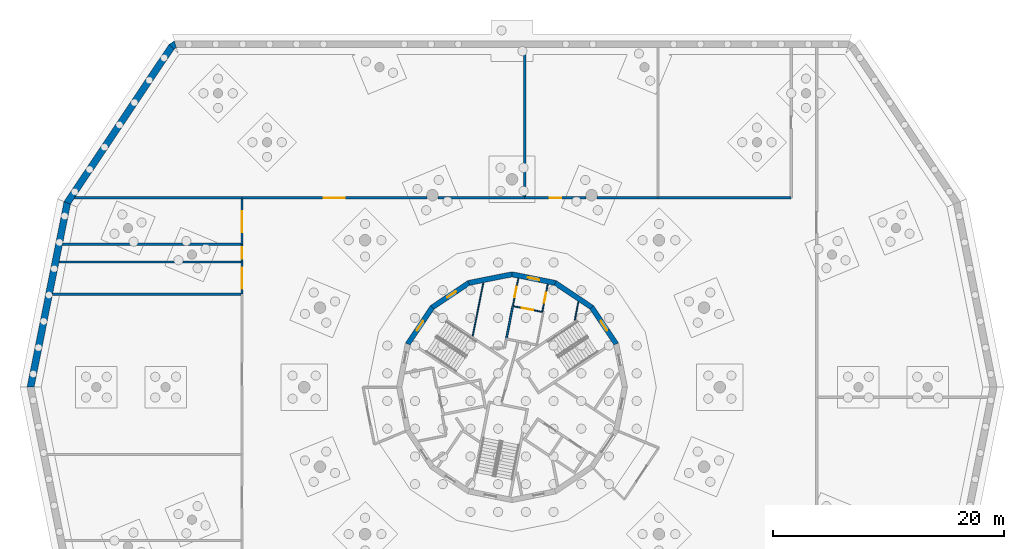
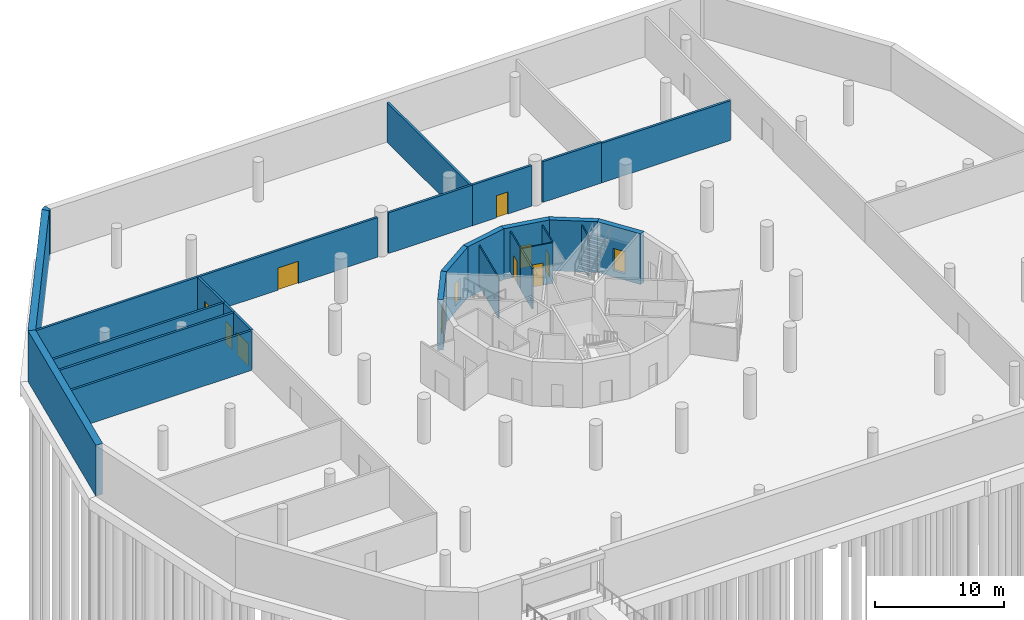
# One storey, part 6 of 8: 28 walls, 12 doors, 12 openings.
"""IFC4 building model written with IfcOpenShell, lengths in metres."""

from ifc_helpers import new_model, si_unit, direction, frame, frame_2d, origin, place, context, subcontext, project, spatial, polyline, rectangle, outline, extrude, material, layer, layer_set, type_object, element, fill, save


model = new_model("IFC4")

# Units and contexts
model_context = context("Model", 3, precision=1e-05, world=origin(), true_north=direction((0.0, 1.0)))
body_context = subcontext(model_context, "Body", "Model", "MODEL_VIEW")
ifc_project = project(units=[si_unit("LENGTHUNIT", "METRE"), si_unit("AREAUNIT", "SQUARE_METRE"), si_unit("VOLUMEUNIT", "CUBIC_METRE"), si_unit("PLANEANGLEUNIT", "RADIAN"), si_unit("MASSUNIT", "GRAM", prefix="KILO")], contexts=[model_context])

# Site, building, storey
site_placement = place(None, origin())
site = spatial("IfcSite", under=ifc_project, at=site_placement, CompositionType="ELEMENT")
building_placement = place(site_placement, origin())
building = spatial("IfcBuilding", under=site, at=building_placement, Name="Ceibo Conservatory and Research Tower", CompositionType="ELEMENT")
storey_placement = place(building_placement, frame((0.0, 0.0, -4.199951171875)))
storey = spatial("IfcBuildingStorey", under=building, at=storey_placement, Name="B1", CompositionType="ELEMENT", Elevation=-4.199951171875)

# Walls
ifc_material_1 = material(Name="Masonry blockwork", Category="masonry")
ifc_layer_1 = layer(ifc_material_1, 0.199951171875)
ifc_layer_set_1 = layer_set([ifc_layer_1], Name="Masonry blockwork")
wall_type_1 = type_object("IfcWallType", Name="Compartment wall 200 EI 120", PredefinedType="SOLIDWALL", material=ifc_layer_set_1)
wall_1_placement = place(storey_placement, frame((24.516845703125, 132.3701171875, 0.0), z_axis=(0.0, 0.0, 1.0), x_axis=(-1.0, 0.0, 0.0)))
element("IfcWall", 1, at=wall_1_placement, inside=storey, type_object=wall_type_1, Name="Partition B1.001", PredefinedType="SOLIDWALL", context=body_context, shape_type="SweptSolid", body=[
    extrude(rectangle(XDim=15.464599609375, YDim=0.199951171875, at=frame_2d((7.732421875, 0.0))), origin(), (0.0, 0.0, 1.0), 3.75),
])
wall_2_placement = place(storey_placement, frame((10.1171875, 136.39990234375, 0.0), z_axis=(0.0, 0.0, 1.0), x_axis=(1.0, 0.0, 0.0)))
element("IfcWall", 2, at=wall_2_placement, inside=storey, type_object=wall_type_1, Name="Partition B1.002", PredefinedType="SOLIDWALL", context=body_context, shape_type="SweptSolid", body=[
    extrude(rectangle(XDim=14.49462890625, YDim=0.199951171875, at=frame_2d((7.247314453125, 0.0))), origin(), (0.0, 0.0, 1.0), 3.75),
])

# Wall, opening, door
wall_3_placement = place(storey_placement, frame((24.61181640625, 136.304931640625, 0.0), z_axis=(0.0, 0.0, 1.0), x_axis=(0.0, -1.0, 0.0)))
wall_3 = element("IfcWall", 3, at=wall_3_placement, inside=storey, type_object=wall_type_1, Name="Partition B1.003", PredefinedType="SOLIDWALL", context=body_context, shape_type="SweptSolid", body=[
    extrude(rectangle(XDim=3.934814453125, YDim=0.199951171875, at=frame_2d((1.96728515625, 0.0))), origin(), (0.0, 0.0, 1.0), 3.75),
])
opening_1_placement = place(wall_3_placement, frame((1.0673828125, 0.0, 0.0)))
opening_1 = element("IfcOpeningElement", 4, at=opening_1_placement, cuts=wall_3, Name="Opening PB1-01", PredefinedType="OPENING", context=body_context, shape_type="SweptSolid", body=[
    extrude(rectangle(XDim=1.800048828125, YDim=2.10009765625, at=frame_2d((0.89990234375, 1.050048828125))), frame((0.0, 0.10986328125, 0.0), z_axis=(0.0, -1.0, 0.0), x_axis=(1.0, 0.0, 0.0)), (0.0, 0.0, 1.0), 0.219970703125),
])
ifc_material_2 = material(Name="Galvanised sheet steel DX51D", Category="steel")
door_type_1 = type_object("IfcDoorType", Name="Door plant double 1800x2100 EI 120", OperationType="DOUBLE_DOOR_SINGLE_SWING", PredefinedType="DOOR", material=ifc_material_2)
door_1_placement = place(opening_1_placement, origin())
door_1 = element("IfcDoor", 5, at=door_1_placement, inside=storey, type_object=door_type_1, Name="Door PB1-01", OperationType="DOUBLE_DOOR_SINGLE_SWING", OverallHeight=2.10009765625, OverallWidth=1.800048828125, PredefinedType="DOOR", context=body_context, shape_type="SweptSolid", body=[
    extrude(rectangle(XDim=1.800048828125, YDim=2.10009765625, at=frame_2d((0.89990234375, 1.050048828125))), frame((0.0, 0.02490234375, 0.0), z_axis=(0.0, -1.0, 0.0), x_axis=(1.0, 0.0, 0.0)), (0.0, 0.0, 1.0), 0.050048828125),
])
fill(opening_1, door_1)

# Wall
wall_4_placement = place(storey_placement, frame((24.516845703125, 130.840087890625, 0.0), z_axis=(0.0, 0.0, 1.0), x_axis=(-1.0, 0.0, 0.0)))
element("IfcWall", 6, at=wall_4_placement, inside=storey, type_object=wall_type_1, Name="Partition B1.004", PredefinedType="SOLIDWALL", context=body_context, shape_type="SweptSolid", body=[
    extrude(rectangle(XDim=15.76904296875, YDim=0.199951171875, at=frame_2d((7.884521484375, 0.0))), origin(), (0.0, 0.0, 1.0), 3.75),
])

# Wall, opening, door
wall_5_placement = place(storey_placement, frame((24.61181640625, 132.3701171875, 0.0), z_axis=(0.0, 0.0, 1.0), x_axis=(0.0, -1.0, 0.0)))
wall_5 = element("IfcWall", 7, at=wall_5_placement, inside=storey, type_object=wall_type_1, Name="Partition B1.005", PredefinedType="SOLIDWALL", context=body_context, shape_type="SweptSolid", body=[
    extrude(rectangle(XDim=1.530029296875, YDim=0.199951171875, at=frame_2d((0.76513671875, 0.0))), origin(), (0.0, 0.0, 1.0), 3.75),
])
opening_2_placement = place(wall_5_placement, frame((0.264892578125, 0.0, 0.0)))
opening_2 = element("IfcOpeningElement", 8, at=opening_2_placement, cuts=wall_5, Name="Opening PB1-02", PredefinedType="OPENING", context=body_context, shape_type="SweptSolid", body=[
    extrude(rectangle(XDim=1.0, YDim=2.10009765625, at=frame_2d((0.5, 1.050048828125))), frame((0.0, 0.10986328125, 0.0), z_axis=(0.0, -1.0, 0.0), x_axis=(1.0, 0.0, 0.0)), (0.0, 0.0, 1.0), 0.219970703125),
])
door_type_2 = type_object("IfcDoorType", Name="Door fire single wide 1000x2100 EI 120 (right hand)", OperationType="SINGLE_SWING_RIGHT", PredefinedType="DOOR", material=ifc_material_2)
door_2_placement = place(opening_2_placement, origin())
door_2 = element("IfcDoor", 9, at=door_2_placement, inside=storey, type_object=door_type_2, Name="Door PB1-02", OperationType="SINGLE_SWING_RIGHT", OverallHeight=2.10009765625, OverallWidth=1.0, PredefinedType="DOOR", context=body_context, shape_type="SweptSolid", body=[
    extrude(rectangle(XDim=1.0, YDim=2.10009765625, at=frame_2d((0.5, 1.050048828125))), frame((0.0, 0.02490234375, 0.0), z_axis=(0.0, -1.0, 0.0), x_axis=(1.0, 0.0, 0.0)), (0.0, 0.0, 1.0), 0.050048828125),
])
fill(opening_2, door_2)

# Wall
wall_6_placement = place(storey_placement, frame((24.516845703125, 128.050048828125, 0.0), z_axis=(0.0, 0.0, 1.0), x_axis=(-1.0, 0.0, 0.0)))
element("IfcWall", 10, at=wall_6_placement, inside=storey, type_object=wall_type_1, Name="Partition B1.006", PredefinedType="SOLIDWALL", context=body_context, shape_type="SweptSolid", body=[
    extrude(rectangle(XDim=16.32373046875, YDim=0.199951171875, at=frame_2d((8.161865234375, 0.0))), origin(), (0.0, 0.0, 1.0), 3.75),
])

# Wall, opening, door
wall_7_placement = place(storey_placement, frame((24.61181640625, 130.840087890625, 0.0), z_axis=(0.0, 0.0, 1.0), x_axis=(0.0, -1.0, 0.0)))
wall_7 = element("IfcWall", 11, at=wall_7_placement, inside=storey, type_object=wall_type_1, Name="Partition B1.007", PredefinedType="SOLIDWALL", context=body_context, shape_type="SweptSolid", body=[
    extrude(rectangle(XDim=2.7900390625, YDim=0.199951171875, at=frame_2d((1.39501953125, 0.0))), origin(), (0.0, 0.0, 1.0), 3.75),
])
opening_3_placement = place(wall_7_placement, frame((0.4951171875, 0.0, 0.0)))
opening_3 = element("IfcOpeningElement", 12, at=opening_3_placement, cuts=wall_7, Name="Opening PB1-03", PredefinedType="OPENING", context=body_context, shape_type="SweptSolid", body=[
    extrude(rectangle(XDim=1.800048828125, YDim=2.10009765625, at=frame_2d((0.89990234375, 1.050048828125))), frame((0.0, 0.10986328125, 0.0), z_axis=(0.0, -1.0, 0.0), x_axis=(1.0, 0.0, 0.0)), (0.0, 0.0, 1.0), 0.219970703125),
])
door_3_placement = place(opening_3_placement, origin())
door_3 = element("IfcDoor", 13, at=door_3_placement, inside=storey, type_object=door_type_1, Name="Door PB1-03", OperationType="DOUBLE_DOOR_SINGLE_SWING", OverallHeight=2.10009765625, OverallWidth=1.800048828125, PredefinedType="DOOR", context=body_context, shape_type="SweptSolid", body=[
    extrude(rectangle(XDim=1.800048828125, YDim=2.10009765625, at=frame_2d((0.89990234375, 1.050048828125))), frame((0.0, 0.02490234375, 0.0), z_axis=(0.0, -1.0, 0.0), x_axis=(1.0, 0.0, 0.0)), (0.0, 0.0, 1.0), 0.050048828125),
])
fill(opening_3, door_3)

# Wall
wall_8_placement = place(storey_placement, frame((49.10009765625, 149.419921875, 0.0), z_axis=(0.0, 0.0, 1.0), x_axis=(0.0, -1.0, 0.0)))
element("IfcWall", 14, at=wall_8_placement, inside=storey, type_object=wall_type_1, Name="Partition B1.014", PredefinedType="SOLIDWALL", context=body_context, shape_type="SweptSolid", body=[
    extrude(rectangle(XDim=12.9248046875, YDim=0.199951171875, at=frame_2d((6.46240234375, 0.0))), origin(), (0.0, 0.0, 1.0), 3.75),
])

# Wall, opening, door
wall_9_placement = place(storey_placement, frame((40.622802734375, 136.39990234375, 0.0), z_axis=(0.0, 0.0, 1.0), x_axis=(-1.0, 0.0, 0.0)))
wall_9 = element("IfcWall", 15, at=wall_9_placement, inside=storey, type_object=wall_type_1, Name="Partition B1.015", PredefinedType="SOLIDWALL", context=body_context, shape_type="SweptSolid", body=[
    extrude(rectangle(XDim=16.010986328125, YDim=0.199951171875, at=frame_2d((8.00537109375, 0.0))), origin(), (0.0, 0.0, 1.0), 3.75),
])
opening_4_placement = place(wall_9_placement, frame((7.10546875, 0.0, 0.0)))
opening_4 = element("IfcOpeningElement", 16, at=opening_4_placement, cuts=wall_9, Name="Opening PB1-07", PredefinedType="OPENING", context=body_context, shape_type="SweptSolid", body=[
    extrude(rectangle(XDim=1.800048828125, YDim=2.10009765625, at=frame_2d((0.89990234375, 1.050048828125))), frame((0.0, 0.10986328125, 0.0), z_axis=(0.0, -1.0, 0.0), x_axis=(1.0, 0.0, 0.0)), (0.0, 0.0, 1.0), 0.219970703125),
])
door_type_3 = type_object("IfcDoorType", Name="Door fire double 1800x2100 EI 120", OperationType="DOUBLE_DOOR_SINGLE_SWING", PredefinedType="DOOR", material=ifc_material_2)
door_4_placement = place(opening_4_placement, frame((1.800048828125, 0.0, 0.0), z_axis=(0.0, 0.0, 1.0), x_axis=(-1.0, 0.0, 0.0)))
door_4 = element("IfcDoor", 17, at=door_4_placement, inside=storey, type_object=door_type_3, Name="Door PB1-07", OperationType="DOUBLE_DOOR_SINGLE_SWING", OverallHeight=2.10009765625, OverallWidth=1.800048828125, PredefinedType="DOOR", context=body_context, shape_type="SweptSolid", body=[
    extrude(rectangle(XDim=1.800048828125, YDim=2.10009765625, at=frame_2d((0.89990234375, 1.050048828125))), frame((0.0, 0.02490234375, 0.0), z_axis=(0.0, -1.0, 0.0), x_axis=(1.0, 0.0, 0.0)), (0.0, 0.0, 1.0), 0.050048828125),
])
fill(opening_4, door_4)

# Wall
wall_10_placement = place(storey_placement, frame((49.10009765625, 136.39990234375, 0.0), z_axis=(0.0, 0.0, 1.0), x_axis=(-1.0, 0.0, 0.0)))
element("IfcWall", 18, at=wall_10_placement, inside=storey, type_object=wall_type_1, Name="Partition B1.016", PredefinedType="SOLIDWALL", context=body_context, shape_type="SweptSolid", body=[
    extrude(rectangle(XDim=7.49951171875, YDim=0.199951171875, at=frame_2d((3.749755859375, 0.0))), origin(), (0.0, 0.0, 1.0), 3.849853515625),
])

# Wall, opening, door
wall_11_placement = place(storey_placement, frame((54.3994140625, 136.39990234375, 0.0), z_axis=(0.0, 0.0, 1.0), x_axis=(-1.0, 0.0, 0.0)))
wall_11 = element("IfcWall", 19, at=wall_11_placement, inside=storey, type_object=wall_type_1, Name="Partition B1.018", PredefinedType="SOLIDWALL", context=body_context, shape_type="SweptSolid", body=[
    extrude(rectangle(XDim=5.29931640625, YDim=0.199951171875, at=frame_2d((2.649658203125, 0.0))), origin(), (0.0, 0.0, 1.0), 3.849853515625),
])
opening_5_placement = place(wall_11_placement, frame((2.149658203125, 0.0, 0.0)))
opening_5 = element("IfcOpeningElement", 20, at=opening_5_placement, cuts=wall_11, Name="Opening PB1-08", PredefinedType="OPENING", context=body_context, shape_type="SweptSolid", body=[
    extrude(rectangle(XDim=1.0, YDim=2.10009765625, at=frame_2d((0.5, 1.050048828125))), frame((0.0, 0.10986328125, 0.0), z_axis=(0.0, -1.0, 0.0), x_axis=(1.0, 0.0, 0.0)), (0.0, 0.0, 1.0), 0.219970703125),
])
door_5_placement = place(opening_5_placement, origin())
door_5 = element("IfcDoor", 21, at=door_5_placement, inside=storey, type_object=door_type_2, Name="Cold store insulated door", OperationType="SINGLE_SWING_RIGHT", OverallHeight=2.10009765625, OverallWidth=1.0, PredefinedType="DOOR", context=body_context, shape_type="SweptSolid", body=[
    extrude(rectangle(XDim=1.0, YDim=2.10009765625, at=frame_2d((0.5, 1.050048828125))), frame((0.0, 0.02490234375, 0.0), z_axis=(0.0, -1.0, 0.0), x_axis=(1.0, 0.0, 0.0)), (0.0, 0.0, 1.0), 0.050048828125),
])
fill(opening_5, door_5)

# Walls
wall_12_placement = place(storey_placement, frame((60.639892578125, 136.39990234375, 0.0), z_axis=(0.0, 0.0, 1.0), x_axis=(-1.0, 0.0, 0.0)))
element("IfcWall", 22, at=wall_12_placement, inside=storey, type_object=wall_type_1, Name="Partition B1.019", PredefinedType="SOLIDWALL", context=body_context, shape_type="SweptSolid", body=[
    extrude(rectangle(XDim=5.2626953125, YDim=0.199951171875, at=frame_2d((2.63134765625, 0.0))), origin(), (0.0, 0.0, 1.0), 3.849853515625),
])
wall_13_placement = place(storey_placement, frame((72.179931640625, 136.39990234375, 0.0), z_axis=(0.0, 0.0, 1.0), x_axis=(-1.0, 0.0, 0.0)))
element("IfcWall", 23, at=wall_13_placement, inside=storey, type_object=wall_type_1, Name="Partition B1.021", PredefinedType="SOLIDWALL", context=body_context, shape_type="SweptSolid", body=[
    extrude(rectangle(XDim=11.5400390625, YDim=0.199951171875, at=frame_2d((5.77001953125, 0.0))), origin(), (0.0, 0.0, 1.0), 3.75),
])

# Wall, opening, door
ifc_material_3 = material(Name="Plasterboard on metal studs")
ifc_layer_2 = layer(ifc_material_3, 0.10009765625)
ifc_layer_set_2 = layer_set([ifc_layer_2], Name="Plasterboard on metal studs")
wall_type_2 = type_object("IfcWallType", Name="Core partition 100", PredefinedType="PARTITIONING", material=ifc_layer_set_2)
wall_14_placement = place(storey_placement, frame((50.62109375, 126.513916015625, 0.0), z_axis=(0.0, 0.0, 1.0), x_axis=(-0.980796771907, 0.195032541431, 0.0)))
wall_14 = element("IfcWall", 24, at=wall_14_placement, inside=storey, type_object=wall_type_2, Name="Core partition B1.P008", PredefinedType="PARTITIONING", context=body_context, shape_type="SweptSolid", body=[
    extrude(rectangle(XDim=2.60009765625, YDim=0.10009765625, at=frame_2d((1.300048828125, 0.0))), origin(), (0.0, 0.0, 1.0), 3.849853515625),
])
opening_6_placement = place(wall_14_placement, frame((0.800048828125, 0.0, 0.0)))
opening_6 = element("IfcOpeningElement", 25, at=opening_6_placement, cuts=wall_14, Name="Opening CB1-14", PredefinedType="OPENING", context=body_context, shape_type="SweptSolid", body=[
    extrude(rectangle(XDim=1.0, YDim=2.10009765625, at=frame_2d((0.5, 1.050048828125))), frame((0.0, 0.06005859375, 0.0), z_axis=(0.0, -1.0, 0.0), x_axis=(1.0, 0.0, 0.0)), (0.0, 0.0, 1.0), 0.1201171875),
])
ifc_material_4 = material(Name="Solid timber", Category="wood")
door_type_4 = type_object("IfcDoorType", Name="Door 1000x2100 (right hand)", OperationType="SINGLE_SWING_RIGHT", PredefinedType="DOOR", material=ifc_material_4)
door_6_placement = place(opening_6_placement, origin())
door_6 = element("IfcDoor", 26, at=door_6_placement, inside=storey, type_object=door_type_4, Name="Door Accessible WC B1.01", OperationType="SINGLE_SWING_RIGHT", OverallHeight=2.10009765625, OverallWidth=1.0, PredefinedType="DOOR", context=body_context, shape_type="SweptSolid", body=[
    extrude(rectangle(XDim=1.0, YDim=2.10009765625, at=frame_2d((0.5, 1.050048828125))), frame((0.0, 0.02490234375, 0.0), z_axis=(0.0, -1.0, 0.0), x_axis=(1.0, 0.0, 0.0)), (0.0, 0.0, 1.0), 0.050048828125),
])
fill(opening_6, door_6)

wall_15_placement = place(storey_placement, frame((48.080810546875, 127.070068359375, 0.0), z_axis=(0.0, 0.0, 1.0), x_axis=(0.195082584577, 0.980786819444, 0.0)))
wall_15 = element("IfcWall", 27, at=wall_15_placement, inside=storey, type_object=wall_type_2, Name="Core partition B1.P009", PredefinedType="PARTITIONING", context=body_context, shape_type="SweptSolid", body=[
    extrude(rectangle(XDim=2.40771484375, YDim=0.10009765625, at=frame_2d((1.203857421875, 0.0))), origin(), (0.0, 0.0, 1.0), 3.849853515625),
])
opening_7_placement = place(wall_15_placement, frame((0.75390625, 0.0, 0.0)))
opening_7 = element("IfcOpeningElement", 28, at=opening_7_placement, cuts=wall_15, Name="Opening CB1-16", PredefinedType="OPENING", context=body_context, shape_type="SweptSolid", body=[
    extrude(rectangle(XDim=0.89990234375, YDim=2.10009765625, at=frame_2d((0.449951171875, 1.050048828125))), frame((0.0, 0.06005859375, 0.0), z_axis=(0.0, -1.0, 0.0), x_axis=(1.0, 0.0, 0.0)), (0.0, 0.0, 1.0), 0.1201171875),
])
door_type_5 = type_object("IfcDoorType", Name="Door 900x2100 (right hand)", OperationType="SINGLE_SWING_RIGHT", PredefinedType="DOOR", material=ifc_material_4)
door_7_placement = place(opening_7_placement, origin())
door_7 = element("IfcDoor", 29, at=door_7_placement, inside=storey, type_object=door_type_5, Name="Door Women WC B1.01", OperationType="SINGLE_SWING_RIGHT", OverallHeight=2.10009765625, OverallWidth=0.89990234375, PredefinedType="DOOR", context=body_context, shape_type="SweptSolid", body=[
    extrude(rectangle(XDim=0.89990234375, YDim=2.10009765625, at=frame_2d((0.449951171875, 1.050048828125))), frame((0.0, 0.02490234375, 0.0), z_axis=(0.0, -1.0, 0.0), x_axis=(1.0, 0.0, 0.0)), (0.0, 0.0, 1.0), 0.050048828125),
])
fill(opening_7, door_7)

wall_16_placement = place(storey_placement, frame((51.1005859375, 128.92431640625, 0.0), z_axis=(0.0, 0.0, 1.0), x_axis=(-0.195082584577, -0.980786819444, 0.0)))
wall_16 = element("IfcWall", 30, at=wall_16_placement, inside=storey, type_object=wall_type_2, Name="Core partition B1.P010", PredefinedType="PARTITIONING", context=body_context, shape_type="SweptSolid", body=[
    extrude(rectangle(XDim=2.40771484375, YDim=0.10009765625, at=frame_2d((1.203857421875, 0.0))), origin(), (0.0, 0.0, 1.0), 3.849853515625),
])
opening_8_placement = place(wall_16_placement, frame((0.75390625, 0.0, 0.0)))
opening_8 = element("IfcOpeningElement", 31, at=opening_8_placement, cuts=wall_16, Name="Opening CB1-15", PredefinedType="OPENING", context=body_context, shape_type="SweptSolid", body=[
    extrude(rectangle(XDim=0.89990234375, YDim=2.10009765625, at=frame_2d((0.449951171875, 1.050048828125))), frame((0.0, 0.06005859375, 0.0), z_axis=(0.0, -1.0, 0.0), x_axis=(1.0, 0.0, 0.0)), (0.0, 0.0, 1.0), 0.1201171875),
])
door_type_6 = type_object("IfcDoorType", Name="Door 900x2100 (left hand)", OperationType="SINGLE_SWING_LEFT", PredefinedType="DOOR", material=ifc_material_4)
door_8_placement = place(opening_8_placement, origin())
door_8 = element("IfcDoor", 32, at=door_8_placement, inside=storey, type_object=door_type_6, Name="Door Men WC B1.01", OperationType="SINGLE_SWING_LEFT", OverallHeight=2.10009765625, OverallWidth=0.89990234375, PredefinedType="DOOR", context=body_context, shape_type="SweptSolid", body=[
    extrude(rectangle(XDim=0.89990234375, YDim=2.10009765625, at=frame_2d((0.449951171875, 1.050048828125))), frame((0.0, 0.02490234375, 0.0), z_axis=(0.0, -1.0, 0.0), x_axis=(1.0, 0.0, 0.0)), (0.0, 0.0, 1.0), 0.050048828125),
])
fill(opening_8, door_8)

# Walls
wall_17_placement = place(storey_placement, frame((53.751953125, 127.388916015625, 0.0), z_axis=(0.0, 0.0, 1.0), x_axis=(-0.195010443139, -0.980801165918, 0.0)))
element("IfcWall", 33, at=wall_17_placement, inside=storey, type_object=wall_type_2, Name="Core partition B1.P014", PredefinedType="PARTITIONING", context=body_context, shape_type="SweptSolid", body=[
    extrude(rectangle(XDim=1.61376953125, YDim=0.10009765625, at=frame_2d((0.806884765625, 0.0))), origin(), (0.0, 0.0, 1.0), 3.849853515625),
])
wall_18_placement = place(storey_placement, frame((44.598876953125, 124.4296875, 0.0), z_axis=(0.0, 0.0, 1.0), x_axis=(0.195074516154, 0.980788424252, 0.0)))
element("IfcWall", 34, at=wall_18_placement, inside=storey, type_object=wall_type_2, Name="Core partition B1.P017", PredefinedType="PARTITIONING", context=body_context, shape_type="SweptSolid", body=[
    extrude(rectangle(XDim=4.688232421875, YDim=0.10009765625, at=frame_2d((2.34423828125, 0.0))), origin(), (0.0, 0.0, 1.0), 3.849853515625),
])

# Wall, opening, door
ifc_material_5 = material(Name="Concrete C40/50", Category="concrete")
ifc_layer_3 = layer(ifc_material_5, 0.449951171875)
ifc_layer_set_3 = layer_set([ifc_layer_3], Name="Concrete C40/50")
wall_type_3 = type_object("IfcWallType", Name="Core wall 450 C40", PredefinedType="SHEAR", material=ifc_layer_set_3)
wall_19_placement = place(storey_placement, frame((57.02685546875, 123.739013671875, -0.60009765625), z_axis=(0.0, 0.0, 1.0), x_axis=(-0.555542277102, 0.83148829117, 0.0)))
wall_19 = element("IfcWall", 35, at=wall_19_placement, inside=storey, type_object=wall_type_3, Name="Core wall B1 02", PredefinedType="SHEAR", context=body_context, shape_type="SweptSolid", body=[
    extrude(outline(polyline([(-0.044677734375, -0.22509765625), (3.85693359375, -0.22509765625), (3.767578125, 0.22509765625), (0.044677734375, 0.22509765625), (-0.044677734375, -0.22509765625)])), origin(), (0.0, 0.0, 1.0), 4.800048828125),
])
opening_9_placement = place(wall_19_placement, frame((1.40625, 0.0, 0.60009765625)))
opening_9 = element("IfcOpeningElement", 36, at=opening_9_placement, cuts=wall_19, Name="Opening CB1-01", PredefinedType="OPENING", context=body_context, shape_type="SweptSolid", body=[
    extrude(rectangle(XDim=1.0, YDim=2.10009765625, at=frame_2d((0.5, 1.050048828125))), frame((0.0, 0.23486328125, 0.0), z_axis=(0.0, -1.0, 0.0), x_axis=(1.0, 0.0, 0.0)), (0.0, 0.0, 1.0), 0.469970703125),
])
door_type_7 = type_object("IfcDoorType", Name="Stair door 1000x2100 EI 120 (left hand)", OperationType="SINGLE_SWING_LEFT", PredefinedType="DOOR", material=ifc_material_2)
door_9_placement = place(opening_9_placement, origin())
door_9 = element("IfcDoor", 37, at=door_9_placement, inside=storey, type_object=door_type_7, Name="Stair door ST1 B1", OperationType="SINGLE_SWING_LEFT", OverallHeight=2.10009765625, OverallWidth=1.0, PredefinedType="DOOR", context=body_context, shape_type="SweptSolid", body=[
    extrude(rectangle(XDim=1.0, YDim=2.10009765625, at=frame_2d((0.5, 1.050048828125))), frame((0.0, 0.02490234375, 0.0), z_axis=(0.0, -1.0, 0.0), x_axis=(1.0, 0.0, 0.0)), (0.0, 0.0, 1.0), 0.050048828125),
])
fill(opening_9, door_9)

# Wall
wall_20_placement = place(storey_placement, frame((54.908935546875, 126.908935546875, -0.60009765625), z_axis=(0.0, 0.0, 1.0), x_axis=(-0.83148829117, 0.555542277102, 0.0)))
element("IfcWall", 38, at=wall_20_placement, inside=storey, type_object=wall_type_3, Name="Core wall B1 03", PredefinedType="SHEAR", context=body_context, shape_type="SweptSolid", body=[
    extrude(outline(polyline([(-0.044677734375, -0.22509765625), (3.85693359375, -0.22509765625), (3.767578125, 0.22509765625), (0.044677734375, 0.22509765625), (-0.044677734375, -0.22509765625)])), origin(), (0.0, 0.0, 1.0), 4.800048828125),
])

# Wall, opening, door
wall_21_placement = place(storey_placement, frame((51.739013671875, 129.02685546875, -0.60009765625), z_axis=(0.0, 0.0, 1.0), x_axis=(-0.98078948206, 0.195069197673, 0.0)))
wall_21 = element("IfcWall", 39, at=wall_21_placement, inside=storey, type_object=wall_type_3, Name="Core wall B1 04", PredefinedType="SHEAR", context=body_context, shape_type="SweptSolid", body=[
    extrude(outline(polyline([(-0.044677734375, -0.22509765625), (3.85693359375, -0.22509765625), (3.767578125, 0.22509765625), (0.044677734375, 0.22509765625), (-0.044677734375, -0.22509765625)])), origin(), (0.0, 0.0, 1.0), 4.800048828125),
])
opening_10_placement = place(wall_21_placement, frame((1.394775390625, 0.0, 0.60009765625)))
opening_10 = element("IfcOpeningElement", 40, at=opening_10_placement, cuts=wall_21, Name="Opening CB1-07", PredefinedType="OPENING", context=body_context, shape_type="SweptSolid", body=[
    extrude(rectangle(XDim=1.0, YDim=2.10009765625, at=frame_2d((0.5, 1.050048828125))), frame((0.0, 0.23486328125, 0.0), z_axis=(0.0, -1.0, 0.0), x_axis=(1.0, 0.0, 0.0)), (0.0, 0.0, 1.0), 0.469970703125),
])
door_type_8 = type_object("IfcDoorType", Name="Lobby door 1000x2100 EI 60 (left hand)", OperationType="SINGLE_SWING_LEFT", PredefinedType="DOOR", material=ifc_material_2)
door_10_placement = place(opening_10_placement, frame((1.0, 0.0, 0.0), z_axis=(0.0, 0.0, 1.0), x_axis=(-1.0, 0.0, 0.0)))
door_10 = element("IfcDoor", 41, at=door_10_placement, inside=storey, type_object=door_type_8, Name="WC Lobby door B1", OperationType="SINGLE_SWING_LEFT", OverallHeight=2.10009765625, OverallWidth=1.0, PredefinedType="DOOR", context=body_context, shape_type="SweptSolid", body=[
    extrude(rectangle(XDim=1.0, YDim=2.10009765625, at=frame_2d((0.5, 1.050048828125))), frame((0.0, 0.02490234375, 0.0), z_axis=(0.0, -1.0, 0.0), x_axis=(1.0, 0.0, 0.0)), (0.0, 0.0, 1.0), 0.050048828125),
])
fill(opening_10, door_10)

# Wall
wall_22_placement = place(storey_placement, frame((48.0, 129.7705078125, -0.60009765625), z_axis=(0.0, 0.0, 1.0), x_axis=(-0.98078948206, -0.195069197673, 0.0)))
element("IfcWall", 42, at=wall_22_placement, inside=storey, type_object=wall_type_3, Name="Core wall B1 05", PredefinedType="SHEAR", context=body_context, shape_type="SweptSolid", body=[
    extrude(outline(polyline([(-0.044677734375, -0.22509765625), (3.85693359375, -0.22509765625), (3.767578125, 0.22509765625), (0.044677734375, 0.22509765625), (-0.044677734375, -0.22509765625)])), origin(), (0.0, 0.0, 1.0), 4.800048828125),
])

# Wall, opening, door
wall_23_placement = place(storey_placement, frame((44.260986328125, 129.02685546875, -0.60009765625), z_axis=(0.0, 0.0, 1.0), x_axis=(-0.83148829117, -0.555542277102, 0.0)))
wall_23 = element("IfcWall", 43, at=wall_23_placement, inside=storey, type_object=wall_type_3, Name="Core wall B1 06", PredefinedType="SHEAR", context=body_context, shape_type="SweptSolid", body=[
    extrude(outline(polyline([(-0.044677734375, -0.22509765625), (3.85693359375, -0.22509765625), (3.767578125, 0.22509765625), (0.044677734375, 0.22509765625), (-0.044677734375, -0.22509765625)])), origin(), (0.0, 0.0, 1.0), 4.800048828125),
])
opening_11_placement = place(wall_23_placement, frame((1.3447265625, 0.0, 0.60009765625)))
opening_11 = element("IfcOpeningElement", 44, at=opening_11_placement, cuts=wall_23, Name="Opening CB1-08", PredefinedType="OPENING", context=body_context, shape_type="SweptSolid", body=[
    extrude(rectangle(XDim=0.89990234375, YDim=2.10009765625, at=frame_2d((0.449951171875, 1.050048828125))), frame((0.0, 0.23486328125, 0.0), z_axis=(0.0, -1.0, 0.0), x_axis=(1.0, 0.0, 0.0)), (0.0, 0.0, 1.0), 0.469970703125),
])
door_type_9 = type_object("IfcDoorType", Name="Riser door 900x2100 EI 60 (right hand)", OperationType="SINGLE_SWING_RIGHT", PredefinedType="DOOR", material=ifc_material_2)
door_11_placement = place(opening_11_placement, frame((0.89990234375, 0.0, 0.0), z_axis=(0.0, 0.0, 1.0), x_axis=(-1.0, 0.0, 0.0)))
door_11 = element("IfcDoor", 45, at=door_11_placement, inside=storey, type_object=door_type_9, Name="Communications Riser door B1", OperationType="SINGLE_SWING_RIGHT", OverallHeight=2.10009765625, OverallWidth=0.89990234375, PredefinedType="DOOR", context=body_context, shape_type="SweptSolid", body=[
    extrude(rectangle(XDim=0.89990234375, YDim=2.10009765625, at=frame_2d((0.449951171875, 1.050048828125))), frame((0.0, 0.02490234375, 0.0), z_axis=(0.0, -1.0, 0.0), x_axis=(1.0, 0.0, 0.0)), (0.0, 0.0, 1.0), 0.050048828125),
])
fill(opening_11, door_11)

wall_24_placement = place(storey_placement, frame((41.091064453125, 126.908935546875, -0.60009765625), z_axis=(0.0, 0.0, 1.0), x_axis=(-0.555542277102, -0.83148829117, 0.0)))
wall_24 = element("IfcWall", 46, at=wall_24_placement, inside=storey, type_object=wall_type_3, Name="Core wall B1 07", PredefinedType="SHEAR", context=body_context, shape_type="SweptSolid", body=[
    extrude(outline(polyline([(-0.044677734375, -0.22509765625), (3.85693359375, -0.22509765625), (3.767578125, 0.22509765625), (0.044677734375, 0.22509765625), (-0.044677734375, -0.22509765625)])), origin(), (0.0, 0.0, 1.0), 4.800048828125),
])
opening_12_placement = place(wall_24_placement, frame((1.40625, 0.0, 0.60009765625)))
opening_12 = element("IfcOpeningElement", 47, at=opening_12_placement, cuts=wall_24, Name="Opening CB1-02", PredefinedType="OPENING", context=body_context, shape_type="SweptSolid", body=[
    extrude(rectangle(XDim=1.0, YDim=2.10009765625, at=frame_2d((0.5, 1.050048828125))), frame((0.0, 0.23486328125, 0.0), z_axis=(0.0, -1.0, 0.0), x_axis=(1.0, 0.0, 0.0)), (0.0, 0.0, 1.0), 0.469970703125),
])
door_type_10 = type_object("IfcDoorType", Name="Stair door 1000x2100 EI 120 (right hand)", OperationType="SINGLE_SWING_RIGHT", PredefinedType="DOOR", material=ifc_material_2)
door_12_placement = place(opening_12_placement, origin())
door_12 = element("IfcDoor", 48, at=door_12_placement, inside=storey, type_object=door_type_10, Name="Stair door ST2 B1", OperationType="SINGLE_SWING_RIGHT", OverallHeight=2.10009765625, OverallWidth=1.0, PredefinedType="DOOR", context=body_context, shape_type="SweptSolid", body=[
    extrude(rectangle(XDim=1.0, YDim=2.10009765625, at=frame_2d((0.5, 1.050048828125))), frame((0.0, 0.02490234375, 0.0), z_axis=(0.0, -1.0, 0.0), x_axis=(1.0, 0.0, 0.0)), (0.0, 0.0, 1.0), 0.050048828125),
])
fill(opening_12, door_12)

# Walls
ifc_material_6 = material(Name="Plasterboard on metal studs, fire board")
ifc_layer_4 = layer(ifc_material_6, 0.14990234375)
ifc_layer_set_4 = layer_set([ifc_layer_4], Name="Plasterboard on metal studs, fire board")
wall_type_4 = type_object("IfcWallType", Name="Corridor wall 150 EI 60", PredefinedType="PARTITIONING", material=ifc_layer_set_4)
wall_25_placement = place(storey_placement, frame((47.51513671875, 124.225830078125, 0.0), z_axis=(0.0, 0.0, 1.0), x_axis=(0.195059596633, 0.980791391562, 0.0)))
element("IfcWall", 49, at=wall_25_placement, inside=storey, type_object=wall_type_4, Name="Core partition B1.P012", PredefinedType="PARTITIONING", context=body_context, shape_type="SweptSolid", body=[
    extrude(rectangle(XDim=2.7998046875, YDim=0.14990234375, at=frame_2d((1.39990234375, 0.0))), origin(), (0.0, 0.0, 1.0), 3.849853515625),
])
ifc_layer_5 = layer(ifc_material_5, 0.60009765625)
ifc_layer_set_5 = layer_set([ifc_layer_5], Name="Concrete C40/50")
wall_type_5 = type_object("IfcWallType", Name="RC retaining wall 600 C40", PredefinedType="SOLIDWALL", material=ifc_layer_set_5)
wall_26_placement = place(storey_placement, frame((18.84375, 149.699951171875, -0.60009765625), z_axis=(0.0, 0.0, 1.0), x_axis=(-0.831474929591, -0.555562275053, 0.0)))
element("IfcWall", 50, at=wall_26_placement, inside=storey, type_object=wall_type_5, Name="Retaining wall 03", PredefinedType="SOLIDWALL", context=body_context, shape_type="SweptSolid", body=[
    extrude(outline(polyline([(-0.091064453125, -0.300048828125), (0.45166015625, -0.300048828125), (0.33251953125, 0.300048828125), (0.091064453125, 0.300048828125), (-0.091064453125, -0.300048828125)])), origin(), (0.0, 0.0, 1.0), 4.800048828125),
])
wall_27_placement = place(storey_placement, frame((18.517822265625, 149.482177734375, -0.60009765625), z_axis=(0.0, 0.0, 1.0), x_axis=(-0.555565694596, -0.831472644762, 0.0)))
element("IfcWall", 51, at=wall_27_placement, inside=storey, type_object=wall_type_5, Name="Retaining wall 04", PredefinedType="SOLIDWALL", context=body_context, shape_type="SweptSolid", body=[
    extrude(outline(polyline([(-0.0595703125, -0.300048828125), (16.327880859375, -0.300048828125), (16.208740234375, 0.300048828125), (0.0595703125, 0.300048828125), (-0.0595703125, -0.300048828125)])), origin(), (0.0, 0.0, 1.0), 4.800048828125),
])
wall_28_placement = place(storey_placement, frame((9.479736328125, 135.95556640625, -0.60009765625), z_axis=(0.0, 0.0, 1.0), x_axis=(-0.195094380607, -0.980784473091, 0.0)))
element("IfcWall", 52, at=wall_28_placement, inside=storey, type_object=wall_type_5, Name="Retaining wall 05", PredefinedType="SOLIDWALL", context=body_context, shape_type="SweptSolid", body=[
    extrude(outline(polyline([(-0.0595703125, -0.300048828125), (16.32763671875, -0.300048828125), (16.20849609375, 0.300048828125), (0.0595703125, 0.300048828125), (-0.0595703125, -0.300048828125)])), origin(), (0.0, 0.0, 1.0), 4.800048828125),
])

save(model, "model.ifc")
